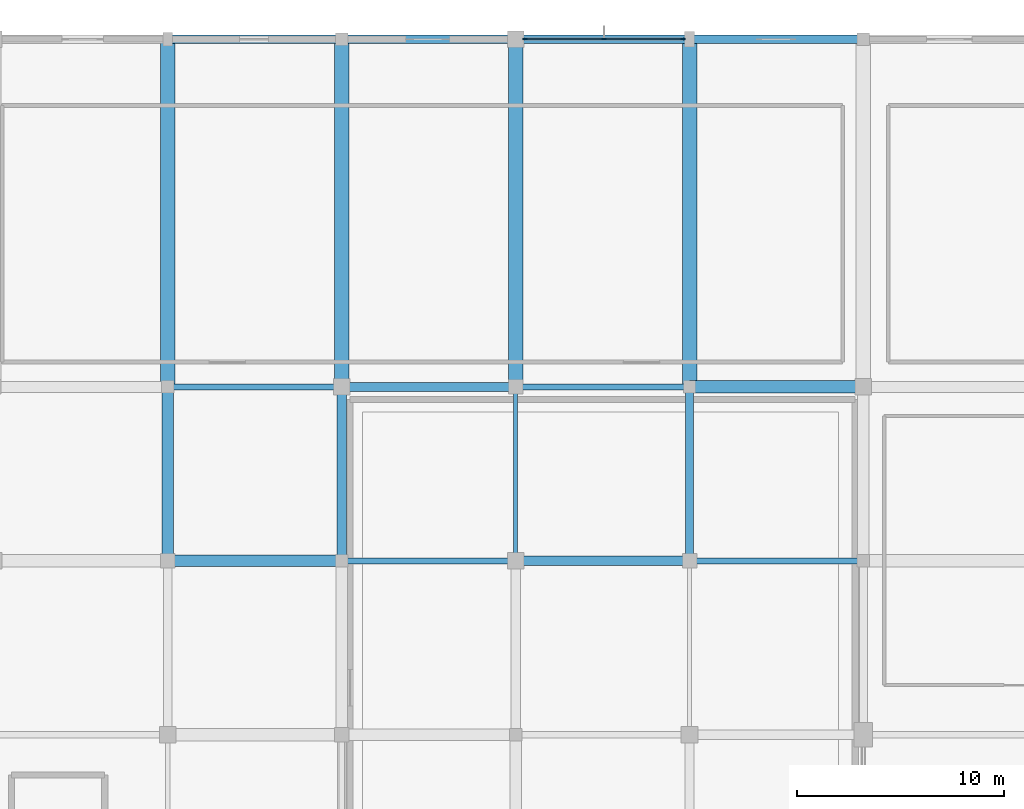
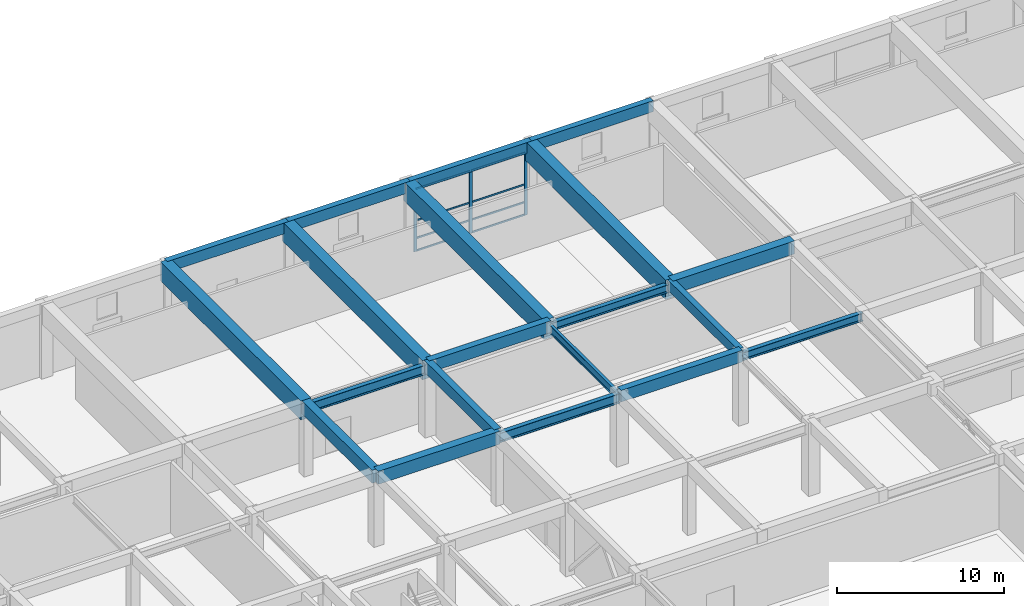
# One storey, part 21 of 62: 20 beams, 11 members, 1 element without a shape of its own.
"""IFC4 building model written with IfcOpenShell, lengths in metres."""

from ifc_helpers import new_model, si_unit, direction, frame, origin, origin_2d, place, context, subcontext, project, spatial, rectangle, i_section, extrude, material, material_profile, profile_set, type_object, element, aggregate, save


model = new_model("IFC4")

# Units and contexts
model_context = context("Model", 3, precision=1e-05, world=origin(), true_north=direction((0.0, 1.0)))
body_context = subcontext(model_context, "Body", "Model", "MODEL_VIEW")
ifc_project = project(units=[si_unit("LENGTHUNIT", "METRE"), si_unit("AREAUNIT", "SQUARE_METRE"), si_unit("VOLUMEUNIT", "CUBIC_METRE"), si_unit("PLANEANGLEUNIT", "RADIAN"), si_unit("MASSUNIT", "GRAM", prefix="KILO")], contexts=[model_context])

# Site, building, storey
site_placement = place(None, origin())
site = spatial("IfcSite", under=ifc_project, at=site_placement, CompositionType="ELEMENT")
building_placement = place(site_placement, origin())
building = spatial("IfcBuilding", under=site, at=building_placement, Name="Xuanlan Plaza Opera House", CompositionType="ELEMENT")
storey_placement = place(building_placement, origin())
storey = spatial("IfcBuildingStorey", under=building, at=storey_placement, Name="L00", CompositionType="ELEMENT", Elevation=0.0)

# Curtain wall, members
ifc_material_1 = material(Name="Anodised Aluminium 6063-T6 and Low-E Glass", Category="aluminium")
curtain_wall_type = type_object("IfcCurtainWallType", Name="ENV-CW-CW-04", PredefinedType="USERDEFINED", material=ifc_material_1)
curtain_wall_placement = place(storey_placement, origin())
curtain_wall = element("IfcCurtainWall", 1, at=curtain_wall_placement, inside=storey, type_object=curtain_wall_type, Name="Unitised Curtain Wall L00-042", ObjectType="UNITISED CURTAIN WALL", PredefinedType="USERDEFINED")
ifc_material_2 = material(Name="Anodised Aluminium 6063-T6", Category="aluminium")
ifc_material_profile_1 = material_profile(ifc_material_2, rectangle(XDim=0.080078125, YDim=0.219970703125, at=origin_2d()), Name="ALU-M 80x220")
ifc_profile_set_1 = profile_set([ifc_material_profile_1], Name="Anodised Aluminium 6063-T6")
member_type_1 = type_object("IfcMemberType", Name="ENV-CWM-04", PredefinedType="MULLION", material=ifc_profile_set_1)
member_1_placement = place(storey_placement, frame((58.489990234375, 117.60009765625, 0.0), z_axis=(0.0, 0.0, 1.0), x_axis=(0.0, -1.0, 0.0)))
member_1 = element("IfcMember", 2, at=member_1_placement, type_object=member_type_1, Name="CW-04 mullion 1", PredefinedType="MULLION", context=body_context, shape_type="SweptSolid", body=[
    extrude(rectangle(XDim=0.080078125, YDim=0.219970703125, at=origin_2d()), origin(), (0.0, 0.0, 1.0), 4.580078125),
])
member_2_placement = place(storey_placement, frame((54.675048828125, 117.60009765625, 0.0), z_axis=(0.0, 0.0, 1.0), x_axis=(0.0, -1.0, 0.0)))
member_2 = element("IfcMember", 3, at=member_2_placement, type_object=member_type_1, Name="CW-04 mullion 2", PredefinedType="MULLION", context=body_context, shape_type="SweptSolid", body=[
    extrude(rectangle(XDim=0.080078125, YDim=0.219970703125, at=origin_2d()), origin(), (0.0, 0.0, 1.0), 4.580078125),
])
member_3_placement = place(storey_placement, frame((50.860107421875, 117.60009765625, 0.0), z_axis=(0.0, 0.0, 1.0), x_axis=(0.0, -1.0, 0.0)))
member_3 = element("IfcMember", 4, at=member_3_placement, type_object=member_type_1, Name="CW-04 mullion 3", PredefinedType="MULLION", context=body_context, shape_type="SweptSolid", body=[
    extrude(rectangle(XDim=0.080078125, YDim=0.219970703125, at=origin_2d()), origin(), (0.0, 0.0, 1.0), 4.580078125),
])
ifc_material_profile_2 = material_profile(ifc_material_2, rectangle(XDim=0.06494140625, YDim=0.1201171875, at=origin_2d()), Name="ALU-T 65x120")
ifc_profile_set_2 = profile_set([ifc_material_profile_2], Name="Anodised Aluminium 6063-T6")
member_type_2 = type_object("IfcMemberType", Name="ENV-CWT-01", PredefinedType="USERDEFINED", material=ifc_profile_set_2)
member_4_placement = place(storey_placement, frame((58.449951171875, 117.60009765625, 0.032470703125), z_axis=(-1.0, 0.0, 0.0), x_axis=(0.0, -1.0, 0.0)))
member_4 = element("IfcMember", 5, at=member_4_placement, type_object=member_type_2, Name="CW-04 transom 1.1", ObjectType="TRANSOM", PredefinedType="USERDEFINED", context=body_context, shape_type="SweptSolid", body=[
    extrude(rectangle(XDim=0.06494140625, YDim=0.1201171875, at=origin_2d()), origin(), (0.0, 0.0, 1.0), 3.73486328125),
])
member_5_placement = place(storey_placement, frame((58.449951171875, 117.60009765625, 0.949951171875), z_axis=(-1.0, 0.0, 0.0), x_axis=(0.0, -1.0, 0.0)))
member_5 = element("IfcMember", 6, at=member_5_placement, type_object=member_type_2, Name="CW-04 transom 1.2", ObjectType="TRANSOM", PredefinedType="USERDEFINED", context=body_context, shape_type="SweptSolid", body=[
    extrude(rectangle(XDim=0.06494140625, YDim=0.1201171875, at=origin_2d()), origin(), (0.0, 0.0, 1.0), 3.73486328125),
])
member_6_placement = place(storey_placement, frame((58.449951171875, 117.60009765625, 2.25), z_axis=(-1.0, 0.0, 0.0), x_axis=(0.0, -1.0, 0.0)))
member_6 = element("IfcMember", 7, at=member_6_placement, type_object=member_type_2, Name="CW-04 transom 1.3", ObjectType="TRANSOM", PredefinedType="USERDEFINED", context=body_context, shape_type="SweptSolid", body=[
    extrude(rectangle(XDim=0.06494140625, YDim=0.1201171875, at=origin_2d()), origin(), (0.0, 0.0, 1.0), 3.73486328125),
])
member_7_placement = place(storey_placement, frame((58.449951171875, 117.60009765625, 4.547607421875), z_axis=(-1.0, 0.0, 0.0), x_axis=(0.0, -1.0, 0.0)))
member_7 = element("IfcMember", 8, at=member_7_placement, type_object=member_type_2, Name="CW-04 transom 1.4", ObjectType="TRANSOM", PredefinedType="USERDEFINED", context=body_context, shape_type="SweptSolid", body=[
    extrude(rectangle(XDim=0.06494140625, YDim=0.1201171875, at=origin_2d()), origin(), (0.0, 0.0, 1.0), 3.73486328125),
])
member_8_placement = place(storey_placement, frame((54.635009765625, 117.60009765625, 0.032470703125), z_axis=(-1.0, 0.0, 0.0), x_axis=(0.0, -1.0, 0.0)))
member_8 = element("IfcMember", 9, at=member_8_placement, type_object=member_type_2, Name="CW-04 transom 2.1", ObjectType="TRANSOM", PredefinedType="USERDEFINED", context=body_context, shape_type="SweptSolid", body=[
    extrude(rectangle(XDim=0.06494140625, YDim=0.1201171875, at=origin_2d()), origin(), (0.0, 0.0, 1.0), 3.735107421875),
])
member_9_placement = place(storey_placement, frame((54.635009765625, 117.60009765625, 0.949951171875), z_axis=(-1.0, 0.0, 0.0), x_axis=(0.0, -1.0, 0.0)))
member_9 = element("IfcMember", 10, at=member_9_placement, type_object=member_type_2, Name="CW-04 transom 2.2", ObjectType="TRANSOM", PredefinedType="USERDEFINED", context=body_context, shape_type="SweptSolid", body=[
    extrude(rectangle(XDim=0.06494140625, YDim=0.1201171875, at=origin_2d()), origin(), (0.0, 0.0, 1.0), 3.735107421875),
])
member_10_placement = place(storey_placement, frame((54.635009765625, 117.60009765625, 2.25), z_axis=(-1.0, 0.0, 0.0), x_axis=(0.0, -1.0, 0.0)))
member_10 = element("IfcMember", 11, at=member_10_placement, type_object=member_type_2, Name="CW-04 transom 2.3", ObjectType="TRANSOM", PredefinedType="USERDEFINED", context=body_context, shape_type="SweptSolid", body=[
    extrude(rectangle(XDim=0.06494140625, YDim=0.1201171875, at=origin_2d()), origin(), (0.0, 0.0, 1.0), 3.735107421875),
])
member_11_placement = place(storey_placement, frame((54.635009765625, 117.60009765625, 4.547607421875), z_axis=(-1.0, 0.0, 0.0), x_axis=(0.0, -1.0, 0.0)))
member_11 = element("IfcMember", 12, at=member_11_placement, type_object=member_type_2, Name="CW-04 transom 2.4", ObjectType="TRANSOM", PredefinedType="USERDEFINED", context=body_context, shape_type="SweptSolid", body=[
    extrude(rectangle(XDim=0.06494140625, YDim=0.1201171875, at=origin_2d()), origin(), (0.0, 0.0, 1.0), 3.735107421875),
])
aggregate(curtain_wall, [member_1, member_2, member_3, member_4, member_5, member_6, member_7, member_8, member_9, member_10, member_11])

# Beams
ifc_material_3 = material(Name="Concrete C50", Category="concrete")
ifc_material_profile_3 = material_profile(ifc_material_3, rectangle(XDim=0.60009765625, YDim=0.949951171875, at=origin_2d()), Name="RC-BM 600x950")
ifc_profile_set_3 = profile_set([ifc_material_profile_3], Name="Concrete C50")
beam_type_1 = type_object("IfcBeamType", Name="STR-BM-B-01", PredefinedType="BEAM", material=ifc_profile_set_3)
beam_1_placement = place(storey_placement, frame((58.800048828125, 100.800048828125, 4.925048828125), z_axis=(1.0, 0.0, 0.0), x_axis=(0.0, 1.0, 0.0)))
element("IfcBeam", 13, at=beam_1_placement, inside=storey, type_object=beam_type_1, Name="Grid Beam X L00 8-9/M", PredefinedType="BEAM", context=body_context, shape_type="SweptSolid", body=[
    extrude(rectangle(XDim=0.60009765625, YDim=0.949951171875, at=origin_2d()), origin(), (0.0, 0.0, 1.0), 8.39990234375),
])
ifc_material_profile_4 = material_profile(ifc_material_3, rectangle(XDim=0.550048828125, YDim=0.949951171875, at=origin_2d()), Name="RC-BM 550x950")
ifc_profile_set_4 = profile_set([ifc_material_profile_4], Name="Concrete C50")
beam_type_2 = type_object("IfcBeamType", Name="STR-BM-B-02", PredefinedType="BEAM", material=ifc_profile_set_4)
beam_2_placement = place(storey_placement, frame((33.60009765625, 92.39990234375, 4.925048828125), z_axis=(1.0, 0.0, 0.0), x_axis=(0.0, 1.0, 0.0)))
element("IfcBeam", 14, at=beam_2_placement, inside=storey, type_object=beam_type_2, Name="Grid Beam X L00 5-6/L", PredefinedType="BEAM", context=body_context, shape_type="SweptSolid", body=[
    extrude(rectangle(XDim=0.550048828125, YDim=0.949951171875, at=origin_2d()), origin(), (0.0, 0.0, 1.0), 8.39990234375),
])
beam_3_placement = place(storey_placement, frame((33.60009765625, 92.39990234375, 4.925048828125), z_axis=(0.0, 1.0, 0.0), x_axis=(-1.0, 0.0, 0.0)))
element("IfcBeam", 15, at=beam_3_placement, inside=storey, type_object=beam_type_2, Name="Grid Beam Y L00 5/L-M", PredefinedType="BEAM", context=body_context, shape_type="SweptSolid", body=[
    extrude(rectangle(XDim=0.550048828125, YDim=0.949951171875, at=origin_2d()), origin(), (0.0, 0.0, 1.0), 8.400146484375),
])
ifc_material_4 = material(Name="Concrete C40", Category="concrete")
ifc_material_profile_5 = material_profile(ifc_material_4, rectangle(XDim=0.449951171875, YDim=0.85009765625, at=origin_2d()), Name="RC-BM 450x850")
ifc_profile_set_5 = profile_set([ifc_material_profile_5], Name="Concrete C40")
beam_type_3 = type_object("IfcBeamType", Name="STR-BM-B-04", PredefinedType="BEAM", material=ifc_profile_set_5)
beam_4_placement = place(storey_placement, frame((50.39990234375, 92.39990234375, 4.97509765625), z_axis=(1.0, 0.0, 0.0), x_axis=(0.0, 1.0, 0.0)))
element("IfcBeam", 16, at=beam_4_placement, inside=storey, type_object=beam_type_3, Name="Grid Beam X L00 7-8/L", PredefinedType="BEAM", context=body_context, shape_type="SweptSolid", body=[
    extrude(rectangle(XDim=0.449951171875, YDim=0.85009765625, at=origin_2d()), origin(), (0.0, 0.0, 1.0), 8.400146484375),
])
beam_5_placement = place(storey_placement, frame((42.0, 100.800048828125, 4.97509765625), z_axis=(1.0, 0.0, 0.0), x_axis=(0.0, 1.0, 0.0)))
element("IfcBeam", 17, at=beam_5_placement, inside=storey, type_object=beam_type_3, Name="Grid Beam X L00 6-7/M", PredefinedType="BEAM", context=body_context, shape_type="SweptSolid", body=[
    extrude(rectangle(XDim=0.449951171875, YDim=0.85009765625, at=origin_2d()), origin(), (0.0, 0.0, 1.0), 8.39990234375),
])
beam_6_placement = place(storey_placement, frame((42.0, 92.39990234375, 4.97509765625), z_axis=(0.0, 1.0, 0.0), x_axis=(-1.0, 0.0, 0.0)))
element("IfcBeam", 18, at=beam_6_placement, inside=storey, type_object=beam_type_3, Name="Grid Beam Y L00 6/L-M", PredefinedType="BEAM", context=body_context, shape_type="SweptSolid", body=[
    extrude(rectangle(XDim=0.449951171875, YDim=0.85009765625, at=origin_2d()), origin(), (0.0, 0.0, 1.0), 8.400146484375),
])
ifc_material_profile_6 = material_profile(ifc_material_4, rectangle(XDim=0.39990234375, YDim=0.75, at=origin_2d()), Name="RC-BM 400x750")
ifc_profile_set_6 = profile_set([ifc_material_profile_6], Name="Concrete C40")
beam_type_4 = type_object("IfcBeamType", Name="STR-BM-B-06", PredefinedType="BEAM", material=ifc_profile_set_6)
beam_7_placement = place(storey_placement, frame((58.800048828125, 92.39990234375, 5.02490234375), z_axis=(0.0, 1.0, 0.0), x_axis=(-1.0, 0.0, 0.0)))
element("IfcBeam", 19, at=beam_7_placement, inside=storey, type_object=beam_type_4, Name="Grid Beam Y L00 8/L-M", PredefinedType="BEAM", context=body_context, shape_type="SweptSolid", body=[
    extrude(rectangle(XDim=0.39990234375, YDim=0.75, at=origin_2d()), origin(), (0.0, 0.0, 1.0), 8.400146484375),
])
ifc_material_profile_7 = material_profile(ifc_material_3, rectangle(XDim=0.699951171875, YDim=1.39990234375, at=origin_2d()), Name="RC-LG 700x1400")
ifc_profile_set_7 = profile_set([ifc_material_profile_7], Name="Concrete C50")
beam_type_5 = type_object("IfcBeamType", Name="STR-BM-LG-01", PredefinedType="BEAM", material=ifc_profile_set_7)
for number, where, z_axis, x_axis, name in (
    (20, (33.60009765625, 100.800048828125, 4.699951171875), (0.0, 1.0, 0.0), (-1.0, 0.0, 0.0), "Grid Beam Y L00 5/M-O"),
    (21, (42.0, 100.800048828125, 4.699951171875), (0.0, 1.0, 0.0), (-1.0, 0.0, 0.0), "Grid Beam Y L00 6/M-O"),
    (22, (50.39990234375, 100.800048828125, 4.699951171875), (0.0, 1.0, 0.0), (-1.0, 0.0, 0.0), "Grid Beam Y L00 7/M-O"),
    (23, (58.800048828125, 100.800048828125, 4.699951171875), (0.0, 1.0, 0.0), (-1.0, 0.0, 0.0), "Grid Beam Y L00 8/M-O"),
):
    element("IfcBeam", number, at=place(storey_placement, frame(where, z_axis=z_axis, x_axis=x_axis)), inside=storey, type_object=beam_type_5, Name=name, PredefinedType="BEAM", context=body_context, shape_type="SweptSolid", body=[
        extrude(rectangle(XDim=0.699951171875, YDim=1.39990234375, at=origin_2d()), origin(), (0.0, 0.0, 1.0), 16.800048828125),
    ])
ifc_material_5 = material(Name="Steel Q355B", Category="steel")
ifc_material_profile_8 = material_profile(ifc_material_5, i_section(OverallWidth=0.300048828125, OverallDepth=0.699951171875, WebThickness=0.012939453125, FlangeThickness=0.02392578125, FilletRadius=0.02392578125, at=origin_2d()), Name="HN 700x300x13x24")
ifc_profile_set_8 = profile_set([ifc_material_profile_8], Name="Steel Q355B")
beam_type_6 = type_object("IfcBeamType", Name="STR-BM-SB-03", PredefinedType="BEAM", material=ifc_profile_set_8)
for number, where, z_axis, x_axis, name in (
    (24, (42.0, 92.39990234375, 4.784912109375), (1.0, 0.0, 0.0), (0.0, 1.0, 0.0), "Grid Beam X L00 6-7/L"),
    (25, (33.60009765625, 100.800048828125, 4.784912109375), (1.0, 0.0, 0.0), (0.0, 1.0, 0.0), "Grid Beam X L00 5-6/M"),
):
    element("IfcBeam", number, at=place(storey_placement, frame(where, z_axis=z_axis, x_axis=x_axis)), inside=storey, type_object=beam_type_6, Name=name, PredefinedType="BEAM", context=body_context, shape_type="SweptSolid", body=[
        extrude(i_section(OverallWidth=0.300048828125, OverallDepth=0.699951171875, WebThickness=0.012939453125, FlangeThickness=0.02392578125, FilletRadius=0.02392578125, at=origin_2d()), origin(), (0.0, 0.0, 1.0), 8.39990234375),
    ])
ifc_material_profile_9 = material_profile(ifc_material_5, i_section(OverallWidth=0.199951171875, OverallDepth=0.60009765625, WebThickness=0.010986328125, FlangeThickness=0.01708984375, FilletRadius=0.02197265625, at=origin_2d()), Name="HN 600x200x11x17")
ifc_profile_set_9 = profile_set([ifc_material_profile_9], Name="Steel Q355B")
beam_type_7 = type_object("IfcBeamType", Name="STR-BM-SB-04", PredefinedType="BEAM", material=ifc_profile_set_9)
beam_8_placement = place(storey_placement, frame((50.39990234375, 92.39990234375, 4.8349609375), z_axis=(0.0, 1.0, 0.0), x_axis=(-1.0, 0.0, 0.0)))
element("IfcBeam", 26, at=beam_8_placement, inside=storey, type_object=beam_type_7, Name="Grid Beam Y L00 7/L-M", PredefinedType="BEAM", context=body_context, shape_type="SweptSolid", body=[
    extrude(i_section(OverallWidth=0.199951171875, OverallDepth=0.60009765625, WebThickness=0.010986328125, FlangeThickness=0.01708984375, FilletRadius=0.02197265625, at=origin_2d()), origin(), (0.0, 0.0, 1.0), 8.400146484375),
])
ifc_material_profile_10 = material_profile(ifc_material_5, i_section(OverallWidth=0.300048828125, OverallDepth=0.587890625, WebThickness=0.011962890625, FlangeThickness=0.02001953125, FilletRadius=0.02392578125, at=origin_2d()), Name="HM 588x300x12x20")
ifc_profile_set_10 = profile_set([ifc_material_profile_10], Name="Steel Q355B")
beam_type_8 = type_object("IfcBeamType", Name="STR-BM-SB-06", PredefinedType="BEAM", material=ifc_profile_set_10)
beam_9_placement = place(storey_placement, frame((58.800048828125, 92.39990234375, 4.841064453125), z_axis=(1.0, 0.0, 0.0), x_axis=(0.0, 1.0, 0.0)))
element("IfcBeam", 27, at=beam_9_placement, inside=storey, type_object=beam_type_8, Name="Grid Beam X L00 8-9/L", PredefinedType="BEAM", context=body_context, shape_type="SweptSolid", body=[
    extrude(i_section(OverallWidth=0.300048828125, OverallDepth=0.587890625, WebThickness=0.011962890625, FlangeThickness=0.02001953125, FilletRadius=0.02392578125, at=origin_2d()), origin(), (0.0, 0.0, 1.0), 8.39990234375),
])
beam_10_placement = place(storey_placement, frame((50.39990234375, 100.800048828125, 4.841064453125), z_axis=(1.0, 0.0, 0.0), x_axis=(0.0, 1.0, 0.0)))
element("IfcBeam", 28, at=beam_10_placement, inside=storey, type_object=beam_type_8, Name="Grid Beam X L00 7-8/M", PredefinedType="BEAM", context=body_context, shape_type="SweptSolid", body=[
    extrude(i_section(OverallWidth=0.300048828125, OverallDepth=0.587890625, WebThickness=0.011962890625, FlangeThickness=0.02001953125, FilletRadius=0.02392578125, at=origin_2d()), origin(), (0.0, 0.0, 1.0), 8.400146484375),
])
ifc_material_profile_11 = material_profile(ifc_material_4, rectangle(XDim=0.39990234375, YDim=0.800048828125, at=origin_2d()), Name="RC-SPD 400x800")
ifc_profile_set_11 = profile_set([ifc_material_profile_11], Name="Concrete C40")
beam_type_9 = type_object("IfcBeamType", Name="STR-BM-SP-01", PredefinedType="SPANDREL", material=ifc_profile_set_11)
for number, where, z_axis, x_axis, name in (
    (29, (33.60009765625, 117.60009765625, 5.0), (1.0, 0.0, 0.0), (0.0, 1.0, 0.0), "Grid Beam X L00 5-6/O"),
    (30, (42.0, 117.60009765625, 5.0), (1.0, 0.0, 0.0), (0.0, 1.0, 0.0), "Grid Beam X L00 6-7/O"),
):
    element("IfcBeam", number, at=place(storey_placement, frame(where, z_axis=z_axis, x_axis=x_axis)), inside=storey, type_object=beam_type_9, Name=name, PredefinedType="SPANDREL", context=body_context, shape_type="SweptSolid", body=[
        extrude(rectangle(XDim=0.39990234375, YDim=0.800048828125, at=origin_2d()), origin(), (0.0, 0.0, 1.0), 8.39990234375),
    ])
beam_11_placement = place(storey_placement, frame((50.39990234375, 117.60009765625, 5.0), z_axis=(1.0, 0.0, 0.0), x_axis=(0.0, 1.0, 0.0)))
element("IfcBeam", 31, at=beam_11_placement, inside=storey, type_object=beam_type_9, Name="Grid Beam X L00 7-8/O", PredefinedType="SPANDREL", context=body_context, shape_type="SweptSolid", body=[
    extrude(rectangle(XDim=0.39990234375, YDim=0.800048828125, at=origin_2d()), origin(), (0.0, 0.0, 1.0), 8.400146484375),
])
beam_12_placement = place(storey_placement, frame((58.800048828125, 117.60009765625, 5.0), z_axis=(1.0, 0.0, 0.0), x_axis=(0.0, 1.0, 0.0)))
element("IfcBeam", 32, at=beam_12_placement, inside=storey, type_object=beam_type_9, Name="Grid Beam X L00 8-9/O", PredefinedType="SPANDREL", context=body_context, shape_type="SweptSolid", body=[
    extrude(rectangle(XDim=0.39990234375, YDim=0.800048828125, at=origin_2d()), origin(), (0.0, 0.0, 1.0), 8.39990234375),
])

save(model, "model.ifc")
